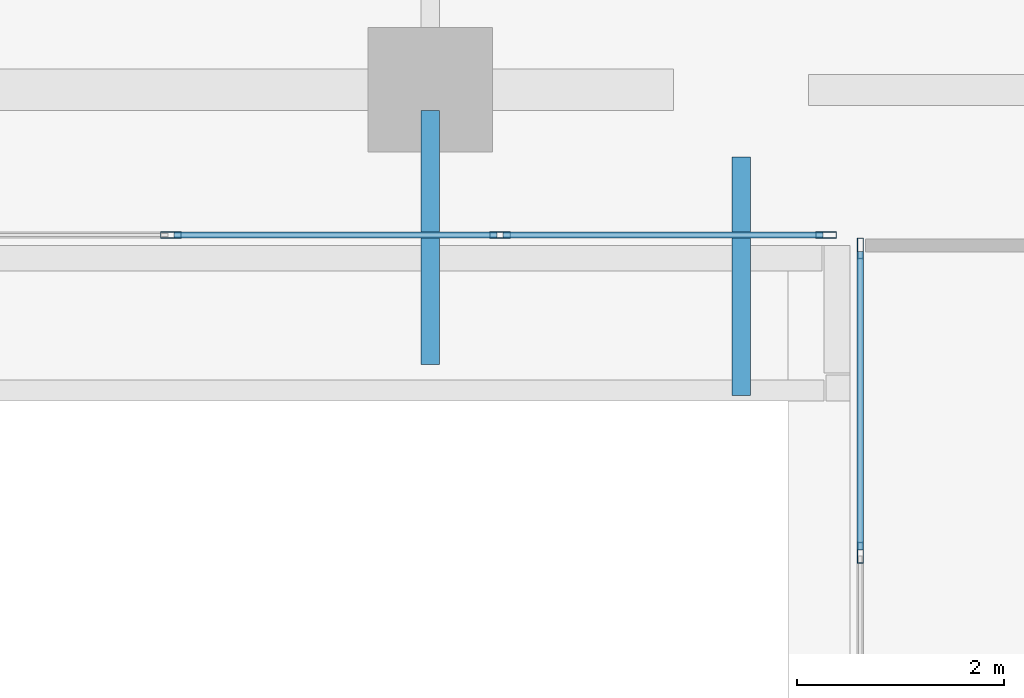
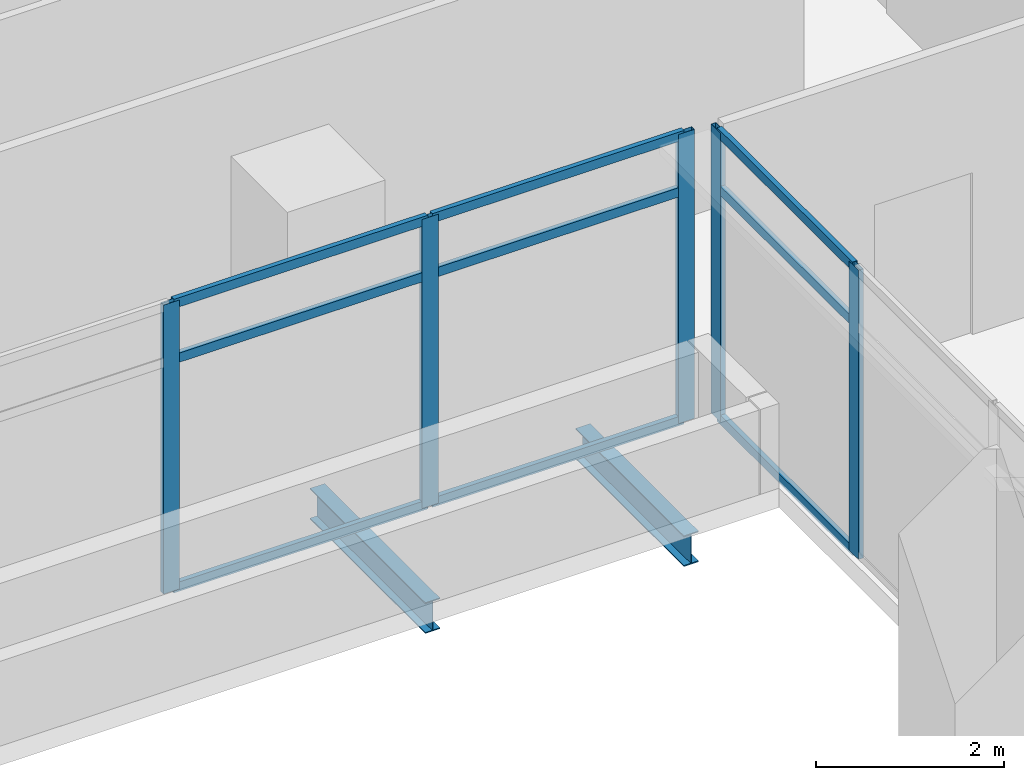
# One storey, part 11 of 43: 14 members, 2 beams, 2 elements without a shape of their own.
"""IFC4 building model written with IfcOpenShell, lengths in metres."""

from ifc_helpers import new_model, si_unit, direction, frame, origin, origin_2d, place, context, subcontext, project, spatial, hollow_rectangle, i_section, extrude, source, transform, mapped, material, material_profile, profile_set, type_object, element, aggregate, save


model = new_model("IFC4")

# Units and contexts
model_context = context("Model", 3, precision=1e-05, world=origin(), true_north=direction((0.0, 1.0)))
body_context = subcontext(model_context, "Body", "Model", "MODEL_VIEW")
ifc_project = project(units=[si_unit("LENGTHUNIT", "METRE"), si_unit("AREAUNIT", "SQUARE_METRE"), si_unit("VOLUMEUNIT", "CUBIC_METRE"), si_unit("PLANEANGLEUNIT", "RADIAN"), si_unit("MASSUNIT", "GRAM", prefix="KILO")], contexts=[model_context])

# Site, building, storey
site_placement = place(None, origin())
site = spatial("IfcSite", under=ifc_project, at=site_placement, CompositionType="ELEMENT")
building_placement = place(site_placement, origin())
building = spatial("IfcBuilding", under=site, at=building_placement, Name="Khomas Fold Tower", CompositionType="ELEMENT")
storey_placement = place(building_placement, frame((0.0, 0.0, 164.699951171875)))
storey = spatial("IfcBuildingStorey", under=building, at=storey_placement, Name="L35", CompositionType="ELEMENT", Elevation=164.699951171875)

# Beams
ifc_material_1 = material(Name="Steel S355", Category="steel")
ifc_material_profile_1 = material_profile(ifc_material_1, i_section(OverallWidth=0.179931640625, OverallDepth=0.39990234375, WebThickness=0.008544921875, FlangeThickness=0.013427734375, at=origin_2d()), Name="IPE 400")
ifc_profile_set_1 = profile_set([ifc_material_profile_1], Name="Steel S355")
beam_type = type_object("IfcBeamType", Name="IPE 400 beam LB1", PredefinedType="BEAM", material=ifc_profile_set_1)
shared_shape_1 = source(origin(), body_context, "Body", "SweptSolid", [
    extrude(i_section(OverallWidth=0.179931640625, OverallDepth=0.39990234375, WebThickness=0.008544921875, FlangeThickness=0.013427734375, at=origin_2d()), origin(), (0.0, 0.0, 1.0), 2.449951171875),
])
beam_1_placement = place(storey_placement, frame((34.5, 19.85009765625, -0.449951171875), z_axis=(0.0, 1.0, 0.0), x_axis=(-1.0, 0.0, 0.0)))
element("IfcBeam", 1, at=beam_1_placement, inside=storey, type_object=beam_type, Name="LB1", PredefinedType="BEAM", context=body_context, shape_type="MappedRepresentation", body=[
    mapped(shared_shape_1, transform((0.0, 0.0, 0.0))),
])
shared_shape_2 = source(origin(), body_context, "Body", "SweptSolid", [
    extrude(i_section(OverallWidth=0.179931640625, OverallDepth=0.39990234375, WebThickness=0.008544921875, FlangeThickness=0.013427734375, at=origin_2d()), origin(), (0.0, 0.0, 1.0), 2.300048828125),
])
beam_2_placement = place(storey_placement, frame((37.5, 19.550048828125, -0.449951171875), z_axis=(0.0, 1.0, 0.0), x_axis=(-1.0, 0.0, 0.0)))
element("IfcBeam", 2, at=beam_2_placement, inside=storey, type_object=beam_type, Name="LB1", PredefinedType="BEAM", context=body_context, shape_type="MappedRepresentation", body=[
    mapped(shared_shape_2, transform((0.0, 0.0, 0.0))),
])

# Curtain wall, members
ifc_material_2 = material(Name="Aluminium framed double glazing", Category="aluminium")
curtain_wall_type = type_object("IfcCurtainWallType", Name="Notch glazing GN-CW", PredefinedType="NOTDEFINED", material=ifc_material_2)
curtain_wall_1_placement = place(storey_placement, origin())
curtain_wall_1 = element("IfcCurtainWall", 3, at=curtain_wall_1_placement, inside=storey, type_object=curtain_wall_type, Name="Notch glazing run", PredefinedType="NOTDEFINED")
ifc_material_3 = material(Name="Aluminium", Category="aluminium")
ifc_material_profile_2 = material_profile(ifc_material_3, hollow_rectangle(XDim=0.06005859375, YDim=0.1201171875, WallThickness=0.00390625, at=origin_2d()), Name="Notch glazing transom GN-CW-T")
ifc_profile_set_2 = profile_set([ifc_material_profile_2], Name="Aluminium")
member_type_1 = type_object("IfcMemberType", Name="Notch glazing transom GN-CW-T", PredefinedType="USERDEFINED", material=ifc_profile_set_2)
shared_shape_3 = source(origin(), body_context, "Body", "SweptSolid", [
    extrude(hollow_rectangle(XDim=0.06005859375, YDim=0.1201171875, WallThickness=0.00390625, at=origin_2d()), origin(), (0.0, 0.0, 1.0), 2.876708984375),
])
member_1_placement = place(storey_placement, frame((38.64990234375, 20.93994140625, 0.030029296875), z_axis=(0.0, -1.0, 0.0), x_axis=(1.0, 0.0, 0.0)))
member_1 = element("IfcMember", 4, at=member_1_placement, type_object=member_type_1, Name="GN-CW transom 1.1", ObjectType="TRANSOM", PredefinedType="USERDEFINED", context=body_context, shape_type="MappedRepresentation", body=[
    mapped(shared_shape_3, transform((0.0, 0.0, 0.0))),
])
member_2_placement = place(storey_placement, frame((38.64990234375, 20.93994140625, 3.0), z_axis=(0.0, -1.0, 0.0), x_axis=(1.0, 0.0, 0.0)))
member_2 = element("IfcMember", 5, at=member_2_placement, type_object=member_type_1, Name="GN-CW transom 1.2", ObjectType="TRANSOM", PredefinedType="USERDEFINED", context=body_context, shape_type="MappedRepresentation", body=[
    mapped(shared_shape_3, transform((0.0, 0.0, 0.0))),
])
member_3_placement = place(storey_placement, frame((38.64990234375, 20.93994140625, 3.719970703125), z_axis=(0.0, -1.0, 0.0), x_axis=(1.0, 0.0, 0.0)))
member_3 = element("IfcMember", 6, at=member_3_placement, type_object=member_type_1, Name="GN-CW transom 1.3", ObjectType="TRANSOM", PredefinedType="USERDEFINED", context=body_context, shape_type="MappedRepresentation", body=[
    mapped(shared_shape_3, transform((0.0, 0.0, 0.0))),
])

curtain_wall_2_placement = place(storey_placement, origin())
curtain_wall_2 = element("IfcCurtainWall", 7, at=curtain_wall_2_placement, inside=storey, type_object=curtain_wall_type, Name="Notch glazing run", PredefinedType="NOTDEFINED")
ifc_material_4 = material(Name="Aluminium", Category="aluminium")
ifc_material_profile_3 = material_profile(ifc_material_4, hollow_rectangle(XDim=0.06005859375, YDim=0.199951171875, WallThickness=0.00390625, at=origin_2d()), Name="Notch glazing mullion GN-CW-M")
ifc_profile_set_3 = profile_set([ifc_material_profile_3], Name="Aluminium")
member_type_2 = type_object("IfcMemberType", Name="Notch glazing mullion GN-CW-M", PredefinedType="MULLION", material=ifc_profile_set_3)
shared_shape_4 = source(origin(), body_context, "Body", "SweptSolid", [
    extrude(hollow_rectangle(XDim=0.06005859375, YDim=0.199951171875, WallThickness=0.00390625, at=origin_2d()), origin(), (0.0, 0.0, 1.0), 3.75),
])
member_4_placement = place(storey_placement, frame((32.0, 21.10009765625, 0.0), z_axis=(0.0, 0.0, 1.0), x_axis=(0.0, 1.0, 0.0)))
member_4 = element("IfcMember", 8, at=member_4_placement, type_object=member_type_2, Name="GN-CW mullion 3", PredefinedType="MULLION", context=body_context, shape_type="MappedRepresentation", body=[
    mapped(shared_shape_4, transform((0.0, 0.0, 0.0))),
])
member_5_placement = place(storey_placement, frame((35.175048828125, 21.10009765625, 0.0), z_axis=(0.0, 0.0, 1.0), x_axis=(0.0, 1.0, 0.0)))
member_5 = element("IfcMember", 9, at=member_5_placement, type_object=member_type_2, Name="GN-CW mullion 4", PredefinedType="MULLION", context=body_context, shape_type="MappedRepresentation", body=[
    mapped(shared_shape_4, transform((0.0, 0.0, 0.0))),
])
member_6_placement = place(storey_placement, frame((38.320068359375, 21.10009765625, 0.0), z_axis=(0.0, 0.0, 1.0), x_axis=(0.0, 1.0, 0.0)))
member_6 = element("IfcMember", 10, at=member_6_placement, type_object=member_type_2, Name="GN-CW mullion 5", PredefinedType="MULLION", context=body_context, shape_type="MappedRepresentation", body=[
    mapped(shared_shape_4, transform((0.0, 0.0, 0.0))),
])

# Member
member_7_placement = place(storey_placement, frame((38.64990234375, 20.969970703125, 0.0), z_axis=(0.0, 0.0, 1.0), x_axis=(1.0, 0.0, 0.0)))
member_7 = element("IfcMember", 11, at=member_7_placement, type_object=member_type_2, Name="GN-CW mullion 1", PredefinedType="MULLION", context=body_context, shape_type="MappedRepresentation", body=[
    mapped(shared_shape_4, transform((0.0, 0.0, 0.0))),
])

member_8_placement = place(storey_placement, frame((38.64990234375, 18.033447265625, 0.0), z_axis=(0.0, 0.0, 1.0), x_axis=(1.0, 0.0, 0.0)))
member_8 = element("IfcMember", 12, at=member_8_placement, type_object=member_type_2, Name="GN-CW mullion 2", PredefinedType="MULLION", context=body_context, shape_type="MappedRepresentation", body=[
    mapped(shared_shape_4, transform((0.0, 0.0, 0.0))),
])

aggregate(curtain_wall_1, [member_7, member_8, member_1, member_2, member_3])

shared_shape_5 = source(origin(), body_context, "Body", "SweptSolid", [
    extrude(hollow_rectangle(XDim=0.06005859375, YDim=0.1201171875, WallThickness=0.00390625, at=origin_2d()), origin(), (0.0, 0.0, 1.0), 3.0849609375),
])
member_9_placement = place(storey_placement, frame((35.205078125, 21.10009765625, 0.030029296875), z_axis=(1.0, 0.0, 0.0), x_axis=(0.0, 1.0, 0.0)))
member_9 = element("IfcMember", 13, at=member_9_placement, type_object=member_type_1, Name="GN-CW transom 4.1", ObjectType="TRANSOM", PredefinedType="USERDEFINED", context=body_context, shape_type="MappedRepresentation", body=[
    mapped(shared_shape_5, transform((0.0, 0.0, 0.0))),
])

member_10_placement = place(storey_placement, frame((35.205078125, 21.10009765625, 3.0), z_axis=(1.0, 0.0, 0.0), x_axis=(0.0, 1.0, 0.0)))
member_10 = element("IfcMember", 14, at=member_10_placement, type_object=member_type_1, Name="GN-CW transom 4.2", ObjectType="TRANSOM", PredefinedType="USERDEFINED", context=body_context, shape_type="MappedRepresentation", body=[
    mapped(shared_shape_5, transform((0.0, 0.0, 0.0))),
])

member_11_placement = place(storey_placement, frame((35.205078125, 21.10009765625, 3.719970703125), z_axis=(1.0, 0.0, 0.0), x_axis=(0.0, 1.0, 0.0)))
member_11 = element("IfcMember", 15, at=member_11_placement, type_object=member_type_1, Name="GN-CW transom 4.3", ObjectType="TRANSOM", PredefinedType="USERDEFINED", context=body_context, shape_type="MappedRepresentation", body=[
    mapped(shared_shape_5, transform((0.0, 0.0, 0.0))),
])

shared_shape_6 = source(origin(), body_context, "Body", "SweptSolid", [
    extrude(hollow_rectangle(XDim=0.06005859375, YDim=0.1201171875, WallThickness=0.00390625, at=origin_2d()), origin(), (0.0, 0.0, 1.0), 3.114990234375),
])
member_12_placement = place(storey_placement, frame((32.030029296875, 21.10009765625, 0.030029296875), z_axis=(1.0, 0.0, 0.0), x_axis=(0.0, 1.0, 0.0)))
member_12 = element("IfcMember", 16, at=member_12_placement, type_object=member_type_1, Name="GN-CW transom 3.1", ObjectType="TRANSOM", PredefinedType="USERDEFINED", context=body_context, shape_type="MappedRepresentation", body=[
    mapped(shared_shape_6, transform((0.0, 0.0, 0.0))),
])

member_13_placement = place(storey_placement, frame((32.030029296875, 21.10009765625, 3.0), z_axis=(1.0, 0.0, 0.0), x_axis=(0.0, 1.0, 0.0)))
member_13 = element("IfcMember", 17, at=member_13_placement, type_object=member_type_1, Name="GN-CW transom 3.2", ObjectType="TRANSOM", PredefinedType="USERDEFINED", context=body_context, shape_type="MappedRepresentation", body=[
    mapped(shared_shape_6, transform((0.0, 0.0, 0.0))),
])

member_14_placement = place(storey_placement, frame((32.030029296875, 21.10009765625, 3.719970703125), z_axis=(1.0, 0.0, 0.0), x_axis=(0.0, 1.0, 0.0)))
member_14 = element("IfcMember", 18, at=member_14_placement, type_object=member_type_1, Name="GN-CW transom 3.3", ObjectType="TRANSOM", PredefinedType="USERDEFINED", context=body_context, shape_type="MappedRepresentation", body=[
    mapped(shared_shape_6, transform((0.0, 0.0, 0.0))),
])

aggregate(curtain_wall_2, [member_4, member_5, member_6, member_12, member_13, member_14, member_9, member_10, member_11])

save(model, "model.ifc")
